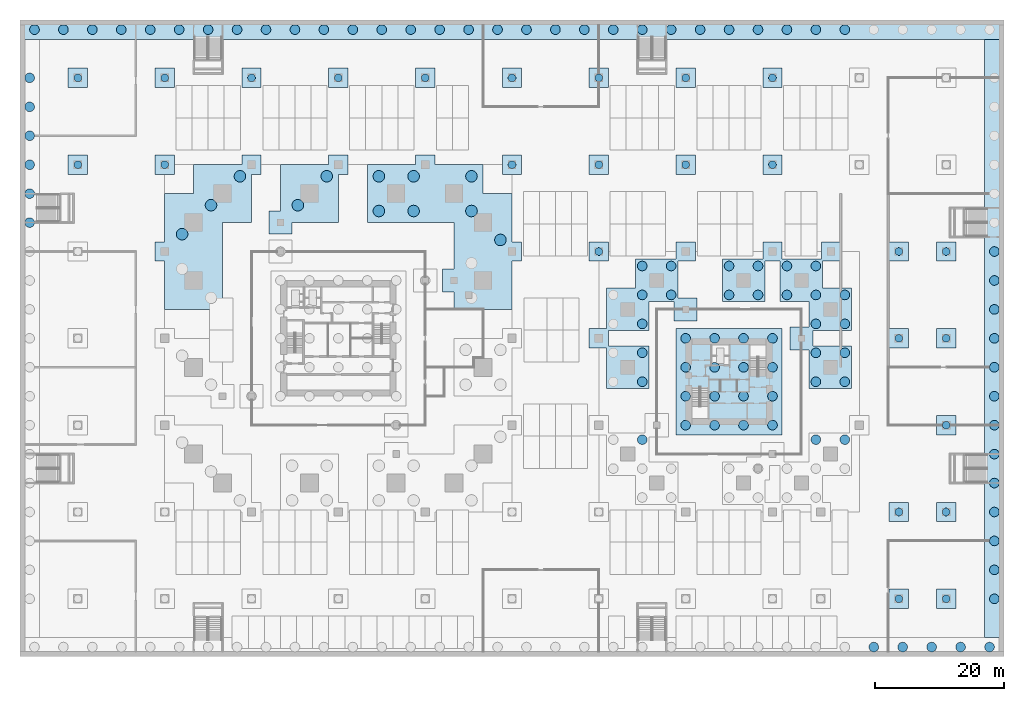
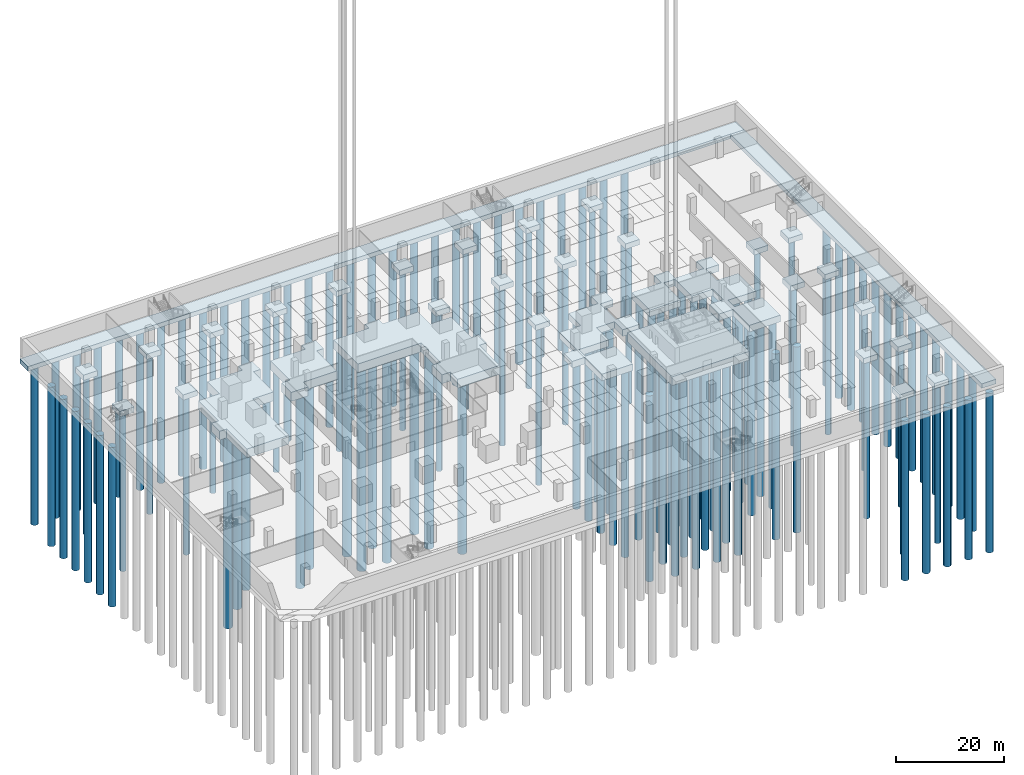
# One storey, part 2 of 40: 131 piles, 33 footings.
"""IFC4 building model written with IfcOpenShell, lengths in metres."""

from ifc_helpers import new_model, si_unit, direction, frame, origin, origin_2d, place, context, subcontext, project, spatial, polyline, circle, outline, extrude, material, layer, layer_set, material_profile, profile_set, type_object, element, save


model = new_model("IFC4")

# Units and contexts
model_context = context("Model", 3, precision=1e-05, world=origin(), true_north=direction((0.0, 1.0)))
body_context = subcontext(model_context, "Body", "Model", "MODEL_VIEW")
ifc_project = project(units=[si_unit("LENGTHUNIT", "METRE"), si_unit("AREAUNIT", "SQUARE_METRE"), si_unit("VOLUMEUNIT", "CUBIC_METRE"), si_unit("PLANEANGLEUNIT", "RADIAN"), si_unit("MASSUNIT", "GRAM", prefix="KILO")], contexts=[model_context])

# Site, building, storey
site_placement = place(None, origin())
site = spatial("IfcSite", under=ifc_project, at=site_placement, CompositionType="ELEMENT")
building_placement = place(site_placement, origin())
building = spatial("IfcBuilding", under=site, at=building_placement, Name="Altepetl Exchange Towers", CompositionType="ELEMENT")
storey_placement = place(building_placement, frame((0.0, 0.0, -8.0)))
storey = spatial("IfcBuildingStorey", under=building, at=storey_placement, Name="B2 Basement parking", CompositionType="ELEMENT", Elevation=-8.0)

# Piles
ifc_material = material(Name="Concrete C35/45", Category="concrete")
ifc_material_profile_1 = material_profile(ifc_material, circle(Radius=0.60009765625, at=origin_2d()), Name="D1200")
ifc_profile_set_1 = profile_set([ifc_material_profile_1], Name="Concrete C35/45")
pile_type_1 = type_object("IfcPileType", Name="Bored pile D1200", PredefinedType="BORED", material=ifc_profile_set_1)
for number, where, z_axis, x_axis, name in (
    (1, (9.0, 76.5, -2.0), (0.0, 0.0, -1.0), (1.0, 0.0, 0.0), "pile:P:B2:c00900765-00"),
    (2, (9.0, 90.0, -2.0), (0.0, 0.0, -1.0), (1.0, 0.0, 0.0), "pile:P:B2:c00900900-00"),
    (3, (22.5, 76.5, -3.0), (0.0, 0.0, -1.0), (1.0, 0.0, 0.0), "pile:A:B2:c02250765-00"),
    (4, (22.5, 90.0, -2.0), (0.0, 0.0, -1.0), (1.0, 0.0, 0.0), "pile:P:B2:c02250900-00"),
    (5, (36.0, 90.0, -2.0), (0.0, 0.0, -1.0), (1.0, 0.0, 0.0), "pile:P:B2:c03600900-00"),
    (6, (49.5, 90.0, -2.0), (0.0, 0.0, -1.0), (1.0, 0.0, 0.0), "pile:P:B2:c04950900-00"),
    (7, (63.0, 90.0, -2.0), (0.0, 0.0, -1.0), (1.0, 0.0, 0.0), "pile:P:B2:c06300900-00"),
    (8, (76.5, 76.5, -3.0), (0.0, 0.0, -1.0), (1.0, 0.0, 0.0), "pile:A:B2:c07650765-00"),
    (9, (76.5, 90.0, -2.0), (0.0, 0.0, -1.0), (1.0, 0.0, 0.0), "pile:P:B2:c07650900-00"),
    (10, (90.0, 63.0, -2.699951171875), (0.0, 0.0, -1.0), (1.0, 0.0, 0.0), "pile:B:B2:c09000630-00"),
    (11, (90.0, 76.5, -2.0), (0.0, 0.0, -1.0), (1.0, 0.0, 0.0), "pile:P:B2:c09000765-00"),
    (12, (90.0, 90.0, -2.0), (0.0, 0.0, -1.0), (1.0, 0.0, 0.0), "pile:P:B2:c09000900-00"),
    (13, (103.5, 76.5, -2.0), (0.0, 0.0, -1.0), (1.0, 0.0, 0.0), "pile:P:B2:c10350765-00"),
    (14, (103.5, 90.0, -2.0), (0.0, 0.0, -1.0), (1.0, 0.0, 0.0), "pile:P:B2:c10350900-00"),
    (15, (117.0, 76.5, -2.0), (0.0, 0.0, -1.0), (1.0, 0.0, 0.0), "pile:P:B2:c11700765-00"),
    (16, (117.0, 90.0, -2.0), (0.0, 0.0, -1.0), (1.0, 0.0, 0.0), "pile:P:B2:c11700900-00"),
    (17, (136.64990234375, 9.0, -2.0), (0.0, 0.0, -1.0), (1.0, 0.0, 0.0), "pile:P:B2:c13660090-00"),
    (18, (136.64990234375, 22.5, -2.0), (0.0, 0.0, -1.0), (1.0, 0.0, 0.0), "pile:P:B2:c13660225-00"),
    (19, (136.64990234375, 49.5, -2.0), (0.0, 0.0, -1.0), (1.0, 0.0, 0.0), "pile:P:B2:c13660495-00"),
    (20, (136.64990234375, 63.0, -2.0), (0.0, 0.0, -1.0), (1.0, 0.0, 0.0), "pile:P:B2:c13660630-00"),
    (21, (144.0, 9.0, -2.0), (0.0, 0.0, -1.0), (1.0, 0.0, 0.0), "pile:P:B2:c14400090-00"),
    (22, (144.0, 22.5, -2.0), (0.0, 0.0, -1.0), (1.0, 0.0, 0.0), "pile:P:B2:c14400225-00"),
    (23, (144.0, 36.0, -2.0), (0.0, 0.0, -1.0), (1.0, 0.0, 0.0), "pile:P:B2:c14400360-00"),
    (24, (144.0, 49.5, -2.0), (0.0, 0.0, -1.0), (1.0, 0.0, 0.0), "pile:P:B2:c14400495-00"),
    (25, (144.0, 63.0, -2.0), (0.0, 0.0, -1.0), (1.0, 0.0, 0.0), "pile:P:B2:c14400630-00"),
):
    element("IfcPile", number, at=place(storey_placement, frame(where, z_axis=z_axis, x_axis=x_axis)), inside=storey, type_object=pile_type_1, Name=name, PredefinedType="BORED", context=body_context, shape_type="SweptSolid", body=[
        extrude(circle(Radius=0.60009765625, at=origin_2d()), origin(), (0.0, 0.0, 1.0), 36.0),
    ])
ifc_material_profile_2 = material_profile(ifc_material, circle(Radius=0.75, at=origin_2d()), Name="D1500")
ifc_profile_set_2 = profile_set([ifc_material_profile_2], Name="Concrete C35/45")
pile_type_2 = type_object("IfcPileType", Name="Bored pile D1500", PredefinedType="BORED", material=ifc_profile_set_2)
for number, where, z_axis, x_axis, name in (
    (26, (96.75, 33.75, -3.0), (0.0, 0.0, -1.0), (1.0, 0.0, 0.0), "pile:B:B2:c09000360-04"),
    (27, (96.75, 42.75, -3.0), (0.0, 0.0, -1.0), (1.0, 0.0, 0.0), "pile:B:B2:c09000495-04"),
    (28, (96.75, 47.25, -3.0), (0.0, 0.0, -1.0), (1.0, 0.0, 0.0), "pile:B:B2:c09000495-05"),
    (29, (96.75, 51.75, -3.0), (0.0, 0.0, -1.0), (1.0, 0.0, 0.0), "pile:B:B2:c09000495-06"),
    (30, (96.75, 56.25, -3.0), (0.0, 0.0, -1.0), (1.0, 0.0, 0.0), "pile:B:B2:c09000495-07"),
    (31, (96.75, 60.75, -3.0), (0.0, 0.0, -1.0), (1.0, 0.0, 0.0), "pile:B:B2:c09000495-08"),
    (32, (101.25, 56.25, -3.0), (0.0, 0.0, -1.0), (1.0, 0.0, 0.0), "pile:B:B2:c09000495-09"),
    (33, (101.25, 60.75, -3.0), (0.0, 0.0, -1.0), (1.0, 0.0, 0.0), "pile:B:B2:c09000495-10"),
    (34, (123.75, 33.75, -3.0), (0.0, 0.0, -1.0), (1.0, 0.0, 0.0), "pile:B:B2:c11250270-08"),
    (35, (128.25, 33.75, -3.0), (0.0, 0.0, -1.0), (1.0, 0.0, 0.0), "pile:B:B2:c11250270-10"),
    (36, (110.25, 56.25, -3.0), (0.0, 0.0, -1.0), (1.0, 0.0, 0.0), "pile:B:B2:c11250585-00"),
    (37, (110.25, 60.75, -3.0), (0.0, 0.0, -1.0), (1.0, 0.0, 0.0), "pile:B:B2:c11250585-01"),
    (38, (114.75, 56.25, -3.0), (0.0, 0.0, -1.0), (1.0, 0.0, 0.0), "pile:B:B2:c11250585-02"),
    (39, (114.75, 60.75, -3.0), (0.0, 0.0, -1.0), (1.0, 0.0, 0.0), "pile:B:B2:c11250585-03"),
    (40, (119.25, 56.25, -3.0), (0.0, 0.0, -1.0), (1.0, 0.0, 0.0), "pile:B:B2:c11250585-04"),
    (41, (119.25, 60.75, -3.0), (0.0, 0.0, -1.0), (1.0, 0.0, 0.0), "pile:B:B2:c11250585-05"),
    (42, (123.75, 42.75, -3.0), (0.0, 0.0, -1.0), (1.0, 0.0, 0.0), "pile:B:B2:c11250585-06"),
    (43, (123.75, 47.25, -3.0), (0.0, 0.0, -1.0), (1.0, 0.0, 0.0), "pile:B:B2:c11250585-07"),
    (44, (123.75, 51.75, -3.0), (0.0, 0.0, -1.0), (1.0, 0.0, 0.0), "pile:B:B2:c11250585-08"),
    (45, (123.75, 56.25, -3.0), (0.0, 0.0, -1.0), (1.0, 0.0, 0.0), "pile:B:B2:c11250585-09"),
    (46, (123.75, 60.75, -3.0), (0.0, 0.0, -1.0), (1.0, 0.0, 0.0), "pile:B:B2:c11250585-10"),
    (47, (128.25, 42.75, -3.0), (0.0, 0.0, -1.0), (1.0, 0.0, 0.0), "pile:B:B2:c11250585-11"),
    (48, (128.25, 47.25, -3.0), (0.0, 0.0, -1.0), (1.0, 0.0, 0.0), "pile:B:B2:c11250585-12"),
    (49, (128.25, 51.75, -3.0), (0.0, 0.0, -1.0), (1.0, 0.0, 0.0), "pile:B:B2:c11250585-13"),
    (50, (128.25, 56.25, -3.0), (0.0, 0.0, -1.0), (1.0, 0.0, 0.0), "pile:B:B2:c11250585-14"),
):
    element("IfcPile", number, at=place(storey_placement, frame(where, z_axis=z_axis, x_axis=x_axis)), inside=storey, type_object=pile_type_2, Name=name, PredefinedType="BORED", context=body_context, shape_type="SweptSolid", body=[
        extrude(circle(Radius=0.75, at=origin_2d()), origin(), (0.0, 0.0, 1.0), 42.0),
    ])
for number, where, z_axis, x_axis, name in (
    (51, (103.5, 36.0, -3.5), (0.0, 0.0, -1.0), (1.0, 0.0, 0.0), "pile:B:B2:core-00"),
    (52, (103.5, 40.5, -3.5), (0.0, 0.0, -1.0), (1.0, 0.0, 0.0), "pile:B:B2:core-01"),
    (53, (103.5, 45.0, -3.5), (0.0, 0.0, -1.0), (1.0, 0.0, 0.0), "pile:B:B2:core-02"),
    (54, (103.5, 49.5, -3.5), (0.0, 0.0, -1.0), (1.0, 0.0, 0.0), "pile:B:B2:core-03"),
    (55, (108.0, 36.0, -3.5), (0.0, 0.0, -1.0), (1.0, 0.0, 0.0), "pile:B:B2:core-04"),
    (56, (108.0, 40.5, -3.5), (0.0, 0.0, -1.0), (1.0, 0.0, 0.0), "pile:B:B2:core-05"),
    (57, (108.0, 45.0, -3.5), (0.0, 0.0, -1.0), (1.0, 0.0, 0.0), "pile:B:B2:core-06"),
    (58, (108.0, 49.5, -3.5), (0.0, 0.0, -1.0), (1.0, 0.0, 0.0), "pile:B:B2:core-07"),
    (59, (112.5, 36.0, -3.5), (0.0, 0.0, -1.0), (1.0, 0.0, 0.0), "pile:B:B2:core-08"),
    (60, (112.5, 40.5, -3.5), (0.0, 0.0, -1.0), (1.0, 0.0, 0.0), "pile:B:B2:core-09"),
    (61, (112.5, 45.0, -3.5), (0.0, 0.0, -1.0), (1.0, 0.0, 0.0), "pile:B:B2:core-10"),
    (62, (112.5, 49.5, -3.5), (0.0, 0.0, -1.0), (1.0, 0.0, 0.0), "pile:B:B2:core-11"),
    (63, (117.0, 36.0, -3.5), (0.0, 0.0, -1.0), (1.0, 0.0, 0.0), "pile:B:B2:core-12"),
    (64, (117.0, 40.5, -3.5), (0.0, 0.0, -1.0), (1.0, 0.0, 0.0), "pile:B:B2:core-13"),
    (65, (117.0, 45.0, -3.5), (0.0, 0.0, -1.0), (1.0, 0.0, 0.0), "pile:B:B2:core-14"),
    (66, (117.0, 49.5, -3.5), (0.0, 0.0, -1.0), (1.0, 0.0, 0.0), "pile:B:B2:core-15"),
):
    element("IfcPile", number, at=place(storey_placement, frame(where, z_axis=z_axis, x_axis=x_axis)), inside=storey, type_object=pile_type_2, Name=name, PredefinedType="BORED", context=body_context, shape_type="SweptSolid", body=[
        extrude(circle(Radius=0.75, at=origin_2d()), origin(), (0.0, 0.0, 1.0), 44.0),
    ])
for number, where, z_axis, x_axis, name in (
    (67, (132.75, 1.5, -1.800048828125), (0.0, 0.0, -1.0), (1.0, 0.0, 0.0), "pile:P:B2:wallS-29"),
    (68, (137.25, 1.5, -1.800048828125), (0.0, 0.0, -1.0), (1.0, 0.0, 0.0), "pile:P:B2:wallS-30"),
    (69, (141.75, 1.5, -1.800048828125), (0.0, 0.0, -1.0), (1.0, 0.0, 0.0), "pile:P:B2:wallS-31"),
    (70, (146.25, 1.5, -1.800048828125), (0.0, 0.0, -1.0), (1.0, 0.0, 0.0), "pile:P:B2:wallS-32"),
    (71, (150.75, 1.5, -1.800048828125), (0.0, 0.0, -1.0), (1.0, 0.0, 0.0), "pile:P:B2:wallS-33"),
    (72, (2.25, 97.5, -1.800048828125), (0.0, 0.0, -1.0), (1.0, 0.0, 0.0), "pile:P:B2:wallN-00"),
    (73, (6.75, 97.5, -1.800048828125), (0.0, 0.0, -1.0), (1.0, 0.0, 0.0), "pile:P:B2:wallN-01"),
    (74, (11.25, 97.5, -1.800048828125), (0.0, 0.0, -1.0), (1.0, 0.0, 0.0), "pile:P:B2:wallN-02"),
    (75, (15.75, 97.5, -1.800048828125), (0.0, 0.0, -1.0), (1.0, 0.0, 0.0), "pile:P:B2:wallN-03"),
    (76, (20.25, 97.5, -1.800048828125), (0.0, 0.0, -1.0), (1.0, 0.0, 0.0), "pile:P:B2:wallN-04"),
    (77, (24.75, 97.5, -1.800048828125), (0.0, 0.0, -1.0), (1.0, 0.0, 0.0), "pile:P:B2:wallN-05"),
    (78, (29.25, 97.5, -1.800048828125), (0.0, 0.0, -1.0), (1.0, 0.0, 0.0), "pile:P:B2:wallN-06"),
    (79, (33.75, 97.5, -1.800048828125), (0.0, 0.0, -1.0), (1.0, 0.0, 0.0), "pile:P:B2:wallN-07"),
    (80, (38.25, 97.5, -1.800048828125), (0.0, 0.0, -1.0), (1.0, 0.0, 0.0), "pile:P:B2:wallN-08"),
    (81, (42.75, 97.5, -1.800048828125), (0.0, 0.0, -1.0), (1.0, 0.0, 0.0), "pile:P:B2:wallN-09"),
    (82, (47.25, 97.5, -1.800048828125), (0.0, 0.0, -1.0), (1.0, 0.0, 0.0), "pile:P:B2:wallN-10"),
    (83, (51.75, 97.5, -1.800048828125), (0.0, 0.0, -1.0), (1.0, 0.0, 0.0), "pile:P:B2:wallN-11"),
    (84, (56.25, 97.5, -1.800048828125), (0.0, 0.0, -1.0), (1.0, 0.0, 0.0), "pile:P:B2:wallN-12"),
    (85, (60.75, 97.5, -1.800048828125), (0.0, 0.0, -1.0), (1.0, 0.0, 0.0), "pile:P:B2:wallN-13"),
    (86, (65.25, 97.5, -1.800048828125), (0.0, 0.0, -1.0), (1.0, 0.0, 0.0), "pile:P:B2:wallN-14"),
    (87, (69.75, 97.5, -1.800048828125), (0.0, 0.0, -1.0), (1.0, 0.0, 0.0), "pile:P:B2:wallN-15"),
    (88, (74.25, 97.5, -1.800048828125), (0.0, 0.0, -1.0), (1.0, 0.0, 0.0), "pile:P:B2:wallN-16"),
    (89, (78.75, 97.5, -1.800048828125), (0.0, 0.0, -1.0), (1.0, 0.0, 0.0), "pile:P:B2:wallN-17"),
    (90, (83.25, 97.5, -1.800048828125), (0.0, 0.0, -1.0), (1.0, 0.0, 0.0), "pile:P:B2:wallN-18"),
    (91, (87.75, 97.5, -1.800048828125), (0.0, 0.0, -1.0), (1.0, 0.0, 0.0), "pile:P:B2:wallN-19"),
    (92, (92.25, 97.5, -1.800048828125), (0.0, 0.0, -1.0), (1.0, 0.0, 0.0), "pile:P:B2:wallN-20"),
    (93, (96.75, 97.5, -1.800048828125), (0.0, 0.0, -1.0), (1.0, 0.0, 0.0), "pile:P:B2:wallN-21"),
    (94, (101.25, 97.5, -1.800048828125), (0.0, 0.0, -1.0), (1.0, 0.0, 0.0), "pile:P:B2:wallN-22"),
    (95, (105.75, 97.5, -1.800048828125), (0.0, 0.0, -1.0), (1.0, 0.0, 0.0), "pile:P:B2:wallN-23"),
    (96, (110.25, 97.5, -1.800048828125), (0.0, 0.0, -1.0), (1.0, 0.0, 0.0), "pile:P:B2:wallN-24"),
    (97, (114.75, 97.5, -1.800048828125), (0.0, 0.0, -1.0), (1.0, 0.0, 0.0), "pile:P:B2:wallN-25"),
    (98, (119.25, 97.5, -1.800048828125), (0.0, 0.0, -1.0), (1.0, 0.0, 0.0), "pile:P:B2:wallN-26"),
    (99, (123.75, 97.5, -1.800048828125), (0.0, 0.0, -1.0), (1.0, 0.0, 0.0), "pile:P:B2:wallN-27"),
    (100, (128.25, 97.5, -1.800048828125), (0.0, 0.0, -1.0), (1.0, 0.0, 0.0), "pile:P:B2:wallN-28"),
    (101, (1.5, 67.5, -1.800048828125), (0.0, 0.0, -1.0), (1.0, 0.0, 0.0), "pile:P:B2:wallW-14"),
    (102, (1.5, 72.0, -1.800048828125), (0.0, 0.0, -1.0), (1.0, 0.0, 0.0), "pile:P:B2:wallW-15"),
    (103, (1.5, 76.5, -1.800048828125), (0.0, 0.0, -1.0), (1.0, 0.0, 0.0), "pile:P:B2:wallW-16"),
    (104, (1.5, 81.0, -1.800048828125), (0.0, 0.0, -1.0), (1.0, 0.0, 0.0), "pile:P:B2:wallW-17"),
    (105, (1.5, 85.5, -1.800048828125), (0.0, 0.0, -1.0), (1.0, 0.0, 0.0), "pile:P:B2:wallW-18"),
    (106, (1.5, 90.0, -1.800048828125), (0.0, 0.0, -1.0), (1.0, 0.0, 0.0), "pile:P:B2:wallW-19"),
    (107, (151.5, 9.0, -1.800048828125), (0.0, 0.0, -1.0), (1.0, 0.0, 0.0), "pile:P:B2:wallE-01"),
    (108, (151.5, 13.5, -1.800048828125), (0.0, 0.0, -1.0), (1.0, 0.0, 0.0), "pile:P:B2:wallE-02"),
    (109, (151.5, 18.0, -1.800048828125), (0.0, 0.0, -1.0), (1.0, 0.0, 0.0), "pile:P:B2:wallE-03"),
    (110, (151.5, 22.5, -1.800048828125), (0.0, 0.0, -1.0), (1.0, 0.0, 0.0), "pile:P:B2:wallE-04"),
    (111, (151.5, 27.0, -1.800048828125), (0.0, 0.0, -1.0), (1.0, 0.0, 0.0), "pile:P:B2:wallE-05"),
    (112, (151.5, 31.5, -1.800048828125), (0.0, 0.0, -1.0), (1.0, 0.0, 0.0), "pile:P:B2:wallE-06"),
    (113, (151.5, 36.0, -1.800048828125), (0.0, 0.0, -1.0), (1.0, 0.0, 0.0), "pile:P:B2:wallE-07"),
    (114, (151.5, 40.5, -1.800048828125), (0.0, 0.0, -1.0), (1.0, 0.0, 0.0), "pile:P:B2:wallE-08"),
    (115, (151.5, 45.0, -1.800048828125), (0.0, 0.0, -1.0), (1.0, 0.0, 0.0), "pile:P:B2:wallE-09"),
    (116, (151.5, 49.5, -1.800048828125), (0.0, 0.0, -1.0), (1.0, 0.0, 0.0), "pile:P:B2:wallE-10"),
    (117, (151.5, 54.0, -1.800048828125), (0.0, 0.0, -1.0), (1.0, 0.0, 0.0), "pile:P:B2:wallE-11"),
    (118, (151.5, 58.5, -1.800048828125), (0.0, 0.0, -1.0), (1.0, 0.0, 0.0), "pile:P:B2:wallE-12"),
    (119, (151.5, 63.0, -1.800048828125), (0.0, 0.0, -1.0), (1.0, 0.0, 0.0), "pile:P:B2:wallE-13"),
):
    element("IfcPile", number, at=place(storey_placement, frame(where, z_axis=z_axis, x_axis=x_axis)), inside=storey, type_object=pile_type_2, Name=name, PredefinedType="BORED", context=body_context, shape_type="SweptSolid", body=[
        extrude(circle(Radius=0.75, at=origin_2d()), origin(), (0.0, 0.0, 1.0), 36.0),
    ])
ifc_material_profile_3 = material_profile(ifc_material, circle(Radius=0.89990234375, at=origin_2d()), Name="D1800")
ifc_profile_set_3 = profile_set([ifc_material_profile_3], Name="Concrete C35/45")
pile_type_3 = type_object("IfcPileType", Name="Bored pile D1800", PredefinedType="BORED", material=ifc_profile_set_3)
for number, where, z_axis, x_axis, name in (
    (120, (25.199951171875, 65.699951171875, -3.800048828125), (0.0, 0.0, -1.0), (1.0, 0.0, 0.0), "pile:A:B2:c02250630-01"),
    (121, (29.699951171875, 70.199951171875, -3.800048828125), (0.0, 0.0, -1.0), (1.0, 0.0, 0.0), "pile:A:B2:c02250630-03"),
    (122, (34.199951171875, 74.699951171875, -3.800048828125), (0.0, 0.0, -1.0), (1.0, 0.0, 0.0), "pile:A:B2:c02250630-04"),
    (123, (43.199951171875, 70.199951171875, -3.800048828125), (0.0, 0.0, -1.0), (1.0, 0.0, 0.0), "pile:A:B2:c04050675-00"),
    (124, (47.699951171875, 74.699951171875, -3.800048828125), (0.0, 0.0, -1.0), (1.0, 0.0, 0.0), "pile:A:B2:c04050675-01"),
    (125, (55.800048828125, 69.300048828125, -3.800048828125), (0.0, 0.0, -1.0), (1.0, 0.0, 0.0), "pile:A:B2:c05850720-00"),
    (126, (55.800048828125, 74.699951171875, -3.800048828125), (0.0, 0.0, -1.0), (1.0, 0.0, 0.0), "pile:A:B2:c05850720-01"),
    (127, (61.199951171875, 69.300048828125, -3.800048828125), (0.0, 0.0, -1.0), (1.0, 0.0, 0.0), "pile:A:B2:c05850720-02"),
    (128, (61.199951171875, 74.699951171875, -3.800048828125), (0.0, 0.0, -1.0), (1.0, 0.0, 0.0), "pile:A:B2:c05850720-03"),
    (129, (70.199951171875, 69.300048828125, -3.800048828125), (0.0, 0.0, -1.0), (1.0, 0.0, 0.0), "pile:A:B2:c05850720-06"),
    (130, (70.199951171875, 74.699951171875, -3.800048828125), (0.0, 0.0, -1.0), (1.0, 0.0, 0.0), "pile:A:B2:c05850720-07"),
    (131, (74.699951171875, 64.800048828125, -3.800048828125), (0.0, 0.0, -1.0), (1.0, 0.0, 0.0), "pile:A:B2:c05850720-08"),
):
    element("IfcPile", number, at=place(storey_placement, frame(where, z_axis=z_axis, x_axis=x_axis)), inside=storey, type_object=pile_type_3, Name=name, PredefinedType="BORED", context=body_context, shape_type="SweptSolid", body=[
        extrude(circle(Radius=0.89990234375, at=origin_2d()), origin(), (0.0, 0.0, 1.0), 46.0),
    ])

# Footings
ifc_layer_1 = layer(ifc_material, 1.0)
ifc_layer_set_1 = layer_set([ifc_layer_1], Name="Concrete C35/45")
footing_type_1 = type_object("IfcFootingType", Name="Pile cap 1000", PredefinedType="PILE_CAP", material=ifc_layer_set_1)
footing_1_placement = place(storey_placement, frame((0.0, 0.0, -1.800048828125)))
element("IfcFooting", 132, at=footing_1_placement, inside=storey, type_object=footing_type_1, Name="ftg:P:B2:wallN", PredefinedType="PILE_CAP", context=body_context, shape_type="SweptSolid", body=[
    extrude(outline(polyline([(153.0, 96.0), (153.0, 99.0), (0.0, 99.0), (0.0, 96.0), (153.0, 96.0)])), origin(), (0.0, 0.0, 1.0), 1.0),
])
footing_2_placement = place(storey_placement, frame((0.0, 0.0, -1.800048828125)))
element("IfcFooting", 133, at=footing_2_placement, inside=storey, type_object=footing_type_1, Name="ftg:P:B2:wallE", PredefinedType="PILE_CAP", context=body_context, shape_type="SweptSolid", body=[
    extrude(outline(polyline([(153.0, 3.0), (153.0, 96.0), (150.0, 96.0), (150.0, 3.0), (153.0, 3.0)])), origin(), (0.0, 0.0, 1.0), 1.0),
])
ifc_layer_2 = layer(ifc_material, 1.199951171875)
ifc_layer_set_2 = layer_set([ifc_layer_2], Name="Concrete C35/45")
footing_type_2 = type_object("IfcFootingType", Name="Pile cap 1200", PredefinedType="PILE_CAP", material=ifc_layer_set_2)
footing_3_placement = place(storey_placement, frame((0.0, 0.0, -2.0)))
element("IfcFooting", 134, at=footing_3_placement, inside=storey, type_object=footing_type_2, Name="ftg:P:B2:c00900765", PredefinedType="PILE_CAP", context=body_context, shape_type="SweptSolid", body=[
    extrude(outline(polyline([(10.5, 75.0), (10.5, 78.0), (7.5, 78.0), (7.5, 75.0), (10.5, 75.0)])), origin(), (0.0, 0.0, 1.0), 1.199951171875),
])
footing_4_placement = place(storey_placement, frame((0.0, 0.0, -2.0)))
element("IfcFooting", 135, at=footing_4_placement, inside=storey, type_object=footing_type_2, Name="ftg:P:B2:c00900900", PredefinedType="PILE_CAP", context=body_context, shape_type="SweptSolid", body=[
    extrude(outline(polyline([(10.5, 88.5), (10.5, 91.5), (7.5, 91.5), (7.5, 88.5), (10.5, 88.5)])), origin(), (0.0, 0.0, 1.0), 1.199951171875),
])
footing_5_placement = place(storey_placement, frame((0.0, 0.0, -3.0)))
element("IfcFooting", 136, at=footing_5_placement, inside=storey, type_object=footing_type_2, Name="ftg:A:B2:c02250765", PredefinedType="PILE_CAP", context=body_context, shape_type="SweptSolid", body=[
    extrude(outline(polyline([(24.0, 75.0), (24.0, 78.0), (21.0, 78.0), (21.0, 75.0), (24.0, 75.0)])), origin(), (0.0, 0.0, 1.0), 1.199951171875),
])
footing_6_placement = place(storey_placement, frame((0.0, 0.0, -2.0)))
element("IfcFooting", 137, at=footing_6_placement, inside=storey, type_object=footing_type_2, Name="ftg:P:B2:c02250900", PredefinedType="PILE_CAP", context=body_context, shape_type="SweptSolid", body=[
    extrude(outline(polyline([(24.0, 88.5), (24.0, 91.5), (21.0, 91.5), (21.0, 88.5), (24.0, 88.5)])), origin(), (0.0, 0.0, 1.0), 1.199951171875),
])
footing_7_placement = place(storey_placement, frame((0.0, 0.0, -2.0)))
element("IfcFooting", 138, at=footing_7_placement, inside=storey, type_object=footing_type_2, Name="ftg:P:B2:c03600900", PredefinedType="PILE_CAP", context=body_context, shape_type="SweptSolid", body=[
    extrude(outline(polyline([(37.5, 88.5), (37.5, 91.5), (34.5, 91.5), (34.5, 88.5), (37.5, 88.5)])), origin(), (0.0, 0.0, 1.0), 1.199951171875),
])
footing_8_placement = place(storey_placement, frame((0.0, 0.0, -2.0)))
element("IfcFooting", 139, at=footing_8_placement, inside=storey, type_object=footing_type_2, Name="ftg:P:B2:c04950900", PredefinedType="PILE_CAP", context=body_context, shape_type="SweptSolid", body=[
    extrude(outline(polyline([(51.0, 88.5), (51.0, 91.5), (48.0, 91.5), (48.0, 88.5), (51.0, 88.5)])), origin(), (0.0, 0.0, 1.0), 1.199951171875),
])
footing_9_placement = place(storey_placement, frame((0.0, 0.0, -2.0)))
element("IfcFooting", 140, at=footing_9_placement, inside=storey, type_object=footing_type_2, Name="ftg:P:B2:c06300900", PredefinedType="PILE_CAP", context=body_context, shape_type="SweptSolid", body=[
    extrude(outline(polyline([(64.5, 88.5), (64.5, 91.5), (61.5, 91.5), (61.5, 88.5), (64.5, 88.5)])), origin(), (0.0, 0.0, 1.0), 1.199951171875),
])
footing_10_placement = place(storey_placement, frame((0.0, 0.0, -3.0)))
element("IfcFooting", 141, at=footing_10_placement, inside=storey, type_object=footing_type_2, Name="ftg:A:B2:c07650765", PredefinedType="PILE_CAP", context=body_context, shape_type="SweptSolid", body=[
    extrude(outline(polyline([(78.0, 75.0), (78.0, 78.0), (75.0, 78.0), (75.0, 75.0), (78.0, 75.0)])), origin(), (0.0, 0.0, 1.0), 1.199951171875),
])
footing_11_placement = place(storey_placement, frame((0.0, 0.0, -2.0)))
element("IfcFooting", 142, at=footing_11_placement, inside=storey, type_object=footing_type_2, Name="ftg:P:B2:c07650900", PredefinedType="PILE_CAP", context=body_context, shape_type="SweptSolid", body=[
    extrude(outline(polyline([(78.0, 88.5), (78.0, 91.5), (75.0, 91.5), (75.0, 88.5), (78.0, 88.5)])), origin(), (0.0, 0.0, 1.0), 1.199951171875),
])
footing_12_placement = place(storey_placement, frame((0.0, 0.0, -2.699951171875)))
element("IfcFooting", 143, at=footing_12_placement, inside=storey, type_object=footing_type_2, Name="ftg:B:B2:c09000630", PredefinedType="PILE_CAP", context=body_context, shape_type="SweptSolid", body=[
    extrude(outline(polyline([(91.5, 61.5), (91.5, 64.5), (88.5, 64.5), (88.5, 61.5), (91.5, 61.5)])), origin(), (0.0, 0.0, 1.0), 1.199951171875),
])
footing_13_placement = place(storey_placement, frame((0.0, 0.0, -2.0)))
element("IfcFooting", 144, at=footing_13_placement, inside=storey, type_object=footing_type_2, Name="ftg:P:B2:c09000765", PredefinedType="PILE_CAP", context=body_context, shape_type="SweptSolid", body=[
    extrude(outline(polyline([(91.5, 75.0), (91.5, 78.0), (88.5, 78.0), (88.5, 75.0), (91.5, 75.0)])), origin(), (0.0, 0.0, 1.0), 1.199951171875),
])
footing_14_placement = place(storey_placement, frame((0.0, 0.0, -2.0)))
element("IfcFooting", 145, at=footing_14_placement, inside=storey, type_object=footing_type_2, Name="ftg:P:B2:c09000900", PredefinedType="PILE_CAP", context=body_context, shape_type="SweptSolid", body=[
    extrude(outline(polyline([(91.5, 88.5), (91.5, 91.5), (88.5, 91.5), (88.5, 88.5), (91.5, 88.5)])), origin(), (0.0, 0.0, 1.0), 1.199951171875),
])
footing_15_placement = place(storey_placement, frame((0.0, 0.0, -2.0)))
element("IfcFooting", 146, at=footing_15_placement, inside=storey, type_object=footing_type_2, Name="ftg:P:B2:c10350765", PredefinedType="PILE_CAP", context=body_context, shape_type="SweptSolid", body=[
    extrude(outline(polyline([(105.0, 75.0), (105.0, 78.0), (102.0, 78.0), (102.0, 75.0), (105.0, 75.0)])), origin(), (0.0, 0.0, 1.0), 1.199951171875),
])
footing_16_placement = place(storey_placement, frame((0.0, 0.0, -2.0)))
element("IfcFooting", 147, at=footing_16_placement, inside=storey, type_object=footing_type_2, Name="ftg:P:B2:c10350900", PredefinedType="PILE_CAP", context=body_context, shape_type="SweptSolid", body=[
    extrude(outline(polyline([(105.0, 88.5), (105.0, 91.5), (102.0, 91.5), (102.0, 88.5), (105.0, 88.5)])), origin(), (0.0, 0.0, 1.0), 1.199951171875),
])
footing_17_placement = place(storey_placement, frame((0.0, 0.0, -2.0)))
element("IfcFooting", 148, at=footing_17_placement, inside=storey, type_object=footing_type_2, Name="ftg:P:B2:c11700765", PredefinedType="PILE_CAP", context=body_context, shape_type="SweptSolid", body=[
    extrude(outline(polyline([(118.5, 75.0), (118.5, 78.0), (115.5, 78.0), (115.5, 75.0), (118.5, 75.0)])), origin(), (0.0, 0.0, 1.0), 1.199951171875),
])
footing_18_placement = place(storey_placement, frame((0.0, 0.0, -2.0)))
element("IfcFooting", 149, at=footing_18_placement, inside=storey, type_object=footing_type_2, Name="ftg:P:B2:c11700900", PredefinedType="PILE_CAP", context=body_context, shape_type="SweptSolid", body=[
    extrude(outline(polyline([(118.5, 88.5), (118.5, 91.5), (115.5, 91.5), (115.5, 88.5), (118.5, 88.5)])), origin(), (0.0, 0.0, 1.0), 1.199951171875),
])
footing_19_placement = place(storey_placement, frame((0.0, 0.0, -2.0)))
element("IfcFooting", 150, at=footing_19_placement, inside=storey, type_object=footing_type_2, Name="ftg:P:B2:c13660090", PredefinedType="PILE_CAP", context=body_context, shape_type="SweptSolid", body=[
    extrude(outline(polyline([(138.14990234375, 7.5), (138.14990234375, 10.5), (135.14990234375, 10.5), (135.14990234375, 7.5), (138.14990234375, 7.5)])), origin(), (0.0, 0.0, 1.0), 1.199951171875),
])
footing_20_placement = place(storey_placement, frame((0.0, 0.0, -2.0)))
element("IfcFooting", 151, at=footing_20_placement, inside=storey, type_object=footing_type_2, Name="ftg:P:B2:c13660225", PredefinedType="PILE_CAP", context=body_context, shape_type="SweptSolid", body=[
    extrude(outline(polyline([(138.14990234375, 21.0), (138.14990234375, 24.0), (135.14990234375, 24.0), (135.14990234375, 21.0), (138.14990234375, 21.0)])), origin(), (0.0, 0.0, 1.0), 1.199951171875),
])
footing_21_placement = place(storey_placement, frame((0.0, 0.0, -2.0)))
element("IfcFooting", 152, at=footing_21_placement, inside=storey, type_object=footing_type_2, Name="ftg:P:B2:c13660495", PredefinedType="PILE_CAP", context=body_context, shape_type="SweptSolid", body=[
    extrude(outline(polyline([(138.14990234375, 48.0), (138.14990234375, 51.0), (135.14990234375, 51.0), (135.14990234375, 48.0), (138.14990234375, 48.0)])), origin(), (0.0, 0.0, 1.0), 1.199951171875),
])
footing_22_placement = place(storey_placement, frame((0.0, 0.0, -2.0)))
element("IfcFooting", 153, at=footing_22_placement, inside=storey, type_object=footing_type_2, Name="ftg:P:B2:c13660630", PredefinedType="PILE_CAP", context=body_context, shape_type="SweptSolid", body=[
    extrude(outline(polyline([(138.14990234375, 61.5), (138.14990234375, 64.5), (135.14990234375, 64.5), (135.14990234375, 61.5), (138.14990234375, 61.5)])), origin(), (0.0, 0.0, 1.0), 1.199951171875),
])
footing_23_placement = place(storey_placement, frame((0.0, 0.0, -2.0)))
element("IfcFooting", 154, at=footing_23_placement, inside=storey, type_object=footing_type_2, Name="ftg:P:B2:c14400090", PredefinedType="PILE_CAP", context=body_context, shape_type="SweptSolid", body=[
    extrude(outline(polyline([(145.5, 7.5), (145.5, 10.5), (142.5, 10.5), (142.5, 7.5), (145.5, 7.5)])), origin(), (0.0, 0.0, 1.0), 1.199951171875),
])
footing_24_placement = place(storey_placement, frame((0.0, 0.0, -2.0)))
element("IfcFooting", 155, at=footing_24_placement, inside=storey, type_object=footing_type_2, Name="ftg:P:B2:c14400225", PredefinedType="PILE_CAP", context=body_context, shape_type="SweptSolid", body=[
    extrude(outline(polyline([(145.5, 21.0), (145.5, 24.0), (142.5, 24.0), (142.5, 21.0), (145.5, 21.0)])), origin(), (0.0, 0.0, 1.0), 1.199951171875),
])
footing_25_placement = place(storey_placement, frame((0.0, 0.0, -2.0)))
element("IfcFooting", 156, at=footing_25_placement, inside=storey, type_object=footing_type_2, Name="ftg:P:B2:c14400360", PredefinedType="PILE_CAP", context=body_context, shape_type="SweptSolid", body=[
    extrude(outline(polyline([(145.5, 34.5), (145.5, 37.5), (142.5, 37.5), (142.5, 34.5), (145.5, 34.5)])), origin(), (0.0, 0.0, 1.0), 1.199951171875),
])
footing_26_placement = place(storey_placement, frame((0.0, 0.0, -2.0)))
element("IfcFooting", 157, at=footing_26_placement, inside=storey, type_object=footing_type_2, Name="ftg:P:B2:c14400495", PredefinedType="PILE_CAP", context=body_context, shape_type="SweptSolid", body=[
    extrude(outline(polyline([(145.5, 48.0), (145.5, 51.0), (142.5, 51.0), (142.5, 48.0), (145.5, 48.0)])), origin(), (0.0, 0.0, 1.0), 1.199951171875),
])
footing_27_placement = place(storey_placement, frame((0.0, 0.0, -2.0)))
element("IfcFooting", 158, at=footing_27_placement, inside=storey, type_object=footing_type_2, Name="ftg:P:B2:c14400630", PredefinedType="PILE_CAP", context=body_context, shape_type="SweptSolid", body=[
    extrude(outline(polyline([(145.5, 61.5), (145.5, 64.5), (142.5, 64.5), (142.5, 61.5), (145.5, 61.5)])), origin(), (0.0, 0.0, 1.0), 1.199951171875),
])
ifc_layer_3 = layer(ifc_material, 1.5)
ifc_layer_set_3 = layer_set([ifc_layer_3], Name="Concrete C35/45")
footing_type_3 = type_object("IfcFootingType", Name="Pile cap 1500", PredefinedType="PILE_CAP", material=ifc_layer_set_3)
footing_28_placement = place(storey_placement, frame((0.0, 0.0, -3.0)))
element("IfcFooting", 159, at=footing_28_placement, inside=storey, type_object=footing_type_3, Name="ftg:B:B2:c09000495", PredefinedType="PILE_CAP", context=body_context, shape_type="SweptSolid", body=[
    extrude(outline(polyline([(97.800048828125, 41.699951171875), (97.800048828125, 48.300048828125), (91.5, 48.300048828125), (91.5, 50.699951171875), (97.800048828125, 50.699951171875), (97.800048828125, 55.199951171875), (101.699951171875, 55.199951171875), (101.699951171875, 52.199951171875), (105.300048828125, 52.199951171875), (105.300048828125, 55.800048828125), (102.300048828125, 55.800048828125), (102.300048828125, 61.5), (105.0, 61.5), (105.0, 64.5), (102.0, 64.5), (102.0, 61.800048828125), (95.699951171875, 61.800048828125), (95.699951171875, 57.300048828125), (91.199951171875, 57.300048828125), (91.199951171875, 51.0), (88.5, 51.0), (88.5, 48.0), (91.199951171875, 48.0), (91.199951171875, 41.699951171875), (97.800048828125, 41.699951171875)])), origin(), (0.0, 0.0, 1.0), 1.5),
])
footing_29_placement = place(storey_placement, frame((0.0, 0.0, -3.0)))
element("IfcFooting", 160, at=footing_29_placement, inside=storey, type_object=footing_type_3, Name="ftg:B:B2:c11250585", PredefinedType="PILE_CAP", context=body_context, shape_type="SweptSolid", body=[
    extrude(outline(polyline([(129.300048828125, 41.699951171875), (129.300048828125, 48.300048828125), (123.300048828125, 48.300048828125), (123.300048828125, 50.699951171875), (129.300048828125, 50.699951171875), (129.300048828125, 57.300048828125), (124.800048828125, 57.300048828125), (124.800048828125, 61.5), (127.60009765625, 61.5), (127.60009765625, 64.5), (124.60009765625, 64.5), (124.60009765625, 61.800048828125), (118.5, 61.800048828125), (118.5, 64.5), (115.5, 64.5), (115.5, 61.800048828125), (109.199951171875, 61.800048828125), (109.199951171875, 55.199951171875), (115.800048828125, 55.199951171875), (115.800048828125, 61.5), (118.199951171875, 61.5), (118.199951171875, 55.199951171875), (122.699951171875, 55.199951171875), (122.699951171875, 51.300048828125), (119.699951171875, 51.300048828125), (119.699951171875, 47.699951171875), (122.699951171875, 47.699951171875), (122.699951171875, 41.699951171875), (129.300048828125, 41.699951171875)])), origin(), (0.0, 0.0, 1.0), 1.5),
])
ifc_layer_4 = layer(ifc_material, 2.0)
ifc_layer_set_4 = layer_set([ifc_layer_4], Name="Concrete C35/45")
footing_type_4 = type_object("IfcFootingType", Name="Pile cap 2000", PredefinedType="PILE_CAP", material=ifc_layer_set_4)
footing_30_placement = place(storey_placement, frame((0.0, 0.0, -3.800048828125)))
element("IfcFooting", 161, at=footing_30_placement, inside=storey, type_object=footing_type_4, Name="ftg:A:B2:c02250630", PredefinedType="PILE_CAP", context=body_context, shape_type="SweptSolid", body=[
    extrude(outline(polyline([(31.5, 54.0), (31.5, 63.0), (31.5, 67.5), (36.0, 67.5), (36.0, 75.0), (37.5, 75.0), (37.5, 78.0), (34.5, 78.0), (34.5, 76.5), (27.0, 76.5), (27.0, 72.0), (22.5, 72.0), (22.5, 64.5), (21.0, 64.5), (21.0, 61.5), (22.5, 61.5), (22.5, 54.0), (31.5, 54.0)])), origin(), (0.0, 0.0, 1.0), 2.0),
])
footing_31_placement = place(storey_placement, frame((0.0, 0.0, -3.800048828125)))
element("IfcFooting", 162, at=footing_31_placement, inside=storey, type_object=footing_type_4, Name="ftg:A:B2:c04050675", PredefinedType="PILE_CAP", context=body_context, shape_type="SweptSolid", body=[
    extrude(outline(polyline([(42.300048828125, 65.699951171875), (42.300048828125, 67.5), (49.5, 67.5), (49.5, 75.0), (51.0, 75.0), (51.0, 78.0), (48.0, 78.0), (48.0, 76.5), (40.5, 76.5), (40.5, 69.300048828125), (38.699951171875, 69.300048828125), (38.699951171875, 65.699951171875), (42.300048828125, 65.699951171875)])), origin(), (0.0, 0.0, 1.0), 2.0),
])
footing_32_placement = place(storey_placement, frame((0.0, 0.0, -3.800048828125)))
element("IfcFooting", 163, at=footing_32_placement, inside=storey, type_object=footing_type_4, Name="ftg:A:B2:c05850720", PredefinedType="PILE_CAP", context=body_context, shape_type="SweptSolid", body=[
    extrude(outline(polyline([(65.699951171875, 60.300048828125), (65.699951171875, 56.699951171875), (67.5, 56.699951171875), (67.5, 54.0), (76.5, 54.0), (76.5, 61.5), (78.0, 61.5), (78.0, 64.5), (76.5, 64.5), (76.5, 72.0), (72.0, 72.0), (72.0, 76.5), (64.5, 76.5), (64.5, 78.0), (61.5, 78.0), (61.5, 76.5), (54.0, 76.5), (54.0, 67.5), (63.0, 67.5), (67.5, 67.5), (67.5, 63.0), (67.5, 60.300048828125), (65.699951171875, 60.300048828125)])), origin(), (0.0, 0.0, 1.0), 2.0),
])
footing_33_placement = place(storey_placement, frame((0.0, 0.0, -3.5)))
element("IfcFooting", 164, at=footing_33_placement, inside=storey, type_object=footing_type_4, Name="ftg:B:B2:core", PredefinedType="PILE_CAP", context=body_context, shape_type="SweptSolid", body=[
    extrude(outline(polyline([(118.5, 34.5), (118.5, 51.0), (102.0, 51.0), (102.0, 34.5), (118.5, 34.5)])), origin(), (0.0, 0.0, 1.0), 2.0),
])

save(model, "model.ifc")
